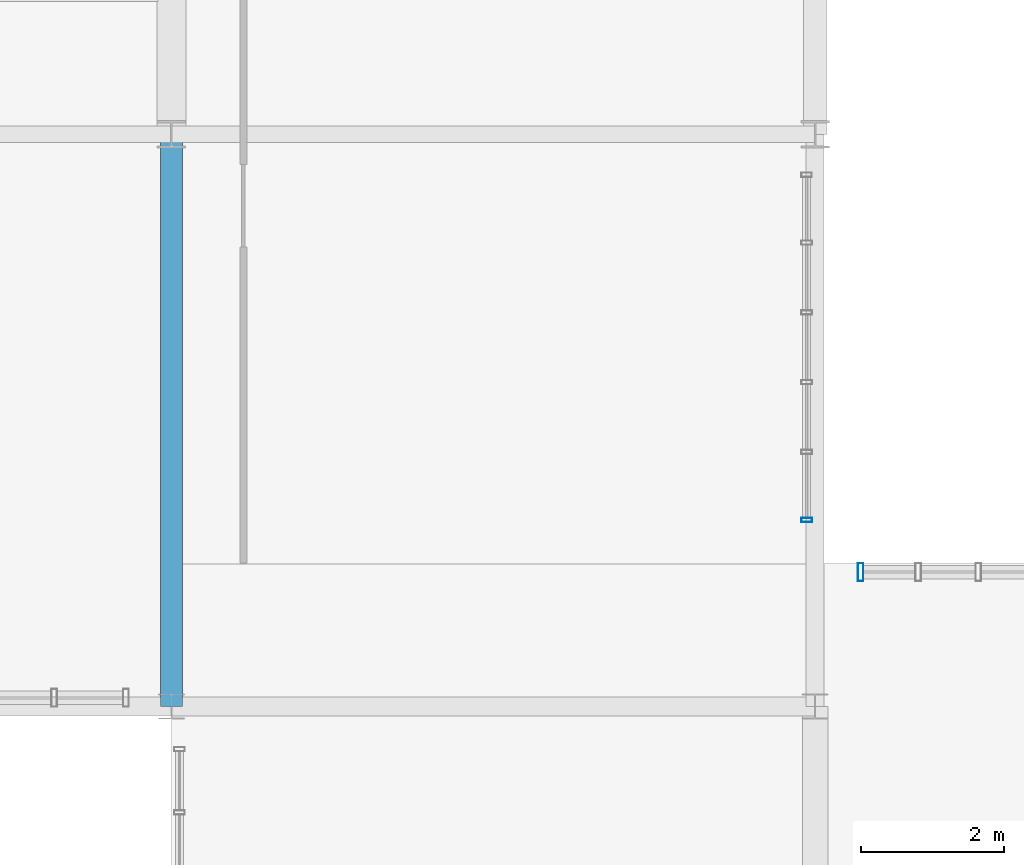
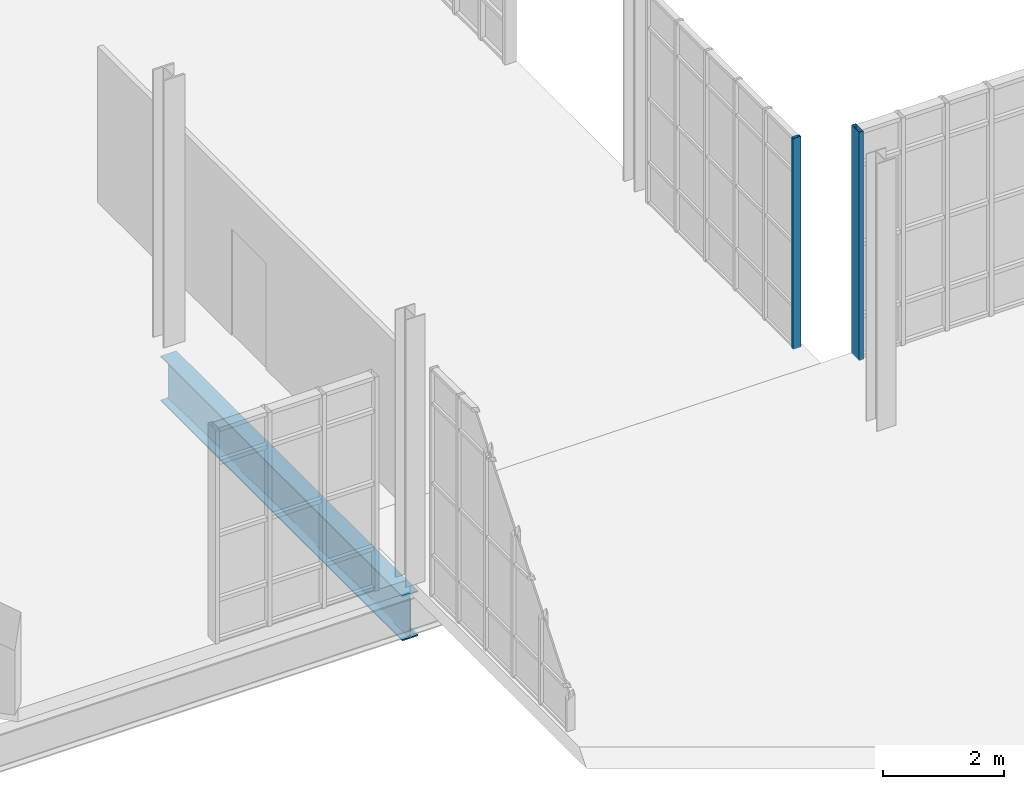
# One storey, part 76 of 189: 2 members, 1 beam, 2 elements without a shape of their own.
"""IFC4 building model written with IfcOpenShell, lengths in metres."""

from ifc_helpers import new_model, si_unit, direction, frame, origin, origin_2d, place, context, subcontext, project, spatial, hollow_rectangle, i_section, extrude, material, layer, layer_set, material_profile, profile_set, type_object, element, aggregate, save


model = new_model("IFC4")

# Units and contexts
model_context = context("Model", 3, precision=1e-05, world=origin(), true_north=direction((0.0, 1.0)))
body_context = subcontext(model_context, "Body", "Model", "MODEL_VIEW")
ifc_project = project(units=[si_unit("LENGTHUNIT", "METRE"), si_unit("AREAUNIT", "SQUARE_METRE"), si_unit("VOLUMEUNIT", "CUBIC_METRE"), si_unit("PLANEANGLEUNIT", "RADIAN"), si_unit("MASSUNIT", "GRAM", prefix="KILO"), si_unit("THERMODYNAMICTEMPERATUREUNIT", "KELVIN"), si_unit("POWERUNIT", "WATT")], contexts=[model_context])

# Site, building, storey
site_placement = place(None, origin())
site = spatial("IfcSite", under=ifc_project, at=site_placement, CompositionType="ELEMENT")
building_placement = place(site_placement, origin())
building = spatial("IfcBuilding", under=site, at=building_placement, Name="Zelmaris Science Centre", CompositionType="ELEMENT")
storey_placement = place(building_placement, origin())
storey = spatial("IfcBuildingStorey", under=building, at=storey_placement, Name="L00", CompositionType="ELEMENT", Elevation=0.0)

# Curtain wall, member
ifc_material_1 = material(Name="Anodised architectural aluminium 6063-T6", Category="aluminium")
ifc_layer_1 = layer(ifc_material_1, 0.219970703125, Name="Anodised architectural aluminium 6063-T6")
ifc_layer_set_1 = layer_set([ifc_layer_1], Name="Anodised architectural aluminium 6063-T6")
curtain_wall_type_1 = type_object("IfcCurtainWallType", Name="Curtain Wall CW-04", PredefinedType="USERDEFINED", material=ifc_layer_set_1)
curtain_wall_1_placement = place(storey_placement, origin())
curtain_wall_1 = element("IfcCurtainWall", 1, at=curtain_wall_1_placement, inside=storey, type_object=curtain_wall_type_1, Name="L00 Unitised curtain wall 88", ObjectType="GLAZED CURTAIN WALL", PredefinedType="USERDEFINED")
ifc_material_profile_1 = material_profile(ifc_material_1, hollow_rectangle(XDim=0.06005859375, YDim=0.14990234375, WallThickness=0.00341796875, at=origin_2d()), Name="ALU-MUL-60X150")
ifc_profile_set_1 = profile_set([ifc_material_profile_1], Name="Anodised architectural aluminium 6063-T6")
member_type_1 = type_object("IfcMemberType", Name="ALU-MUL-60X150", PredefinedType="MULLION", material=ifc_profile_set_1)
member_1_placement = place(storey_placement, frame((107.882568359375, 66.608642578125, -0.014892578125), z_axis=(0.0, 0.0, 1.0), x_axis=(0.000129154364, -0.99999999166, 0.0)))
member_1 = element("IfcMember", 2, at=member_1_placement, type_object=member_type_1, Name="CW-04 mullion 6", PredefinedType="MULLION", context=body_context, shape_type="SweptSolid", body=[
    extrude(hollow_rectangle(XDim=0.06005859375, YDim=0.14990234375, WallThickness=0.00341796875, at=origin_2d()), origin(), (0.0, 0.0, 1.0), 4.263916015625),
])
aggregate(curtain_wall_1, [member_1])

ifc_layer_2 = layer(ifc_material_1, 0.18994140625, Name="Anodised architectural aluminium 6063-T6")
ifc_layer_set_2 = layer_set([ifc_layer_2], Name="Anodised architectural aluminium 6063-T6")
curtain_wall_type_2 = type_object("IfcCurtainWallType", Name="Curtain Wall CW-01", PredefinedType="USERDEFINED", material=ifc_layer_set_2)
curtain_wall_2_placement = place(storey_placement, origin())
curtain_wall_2 = element("IfcCurtainWall", 3, at=curtain_wall_2_placement, inside=storey, type_object=curtain_wall_type_2, Name="L00 Unitised curtain wall 89", ObjectType="GLAZED CURTAIN WALL", PredefinedType="USERDEFINED")
ifc_material_profile_2 = material_profile(ifc_material_1, hollow_rectangle(XDim=0.080078125, YDim=0.25, WallThickness=0.0048828125, at=origin_2d()), Name="ALU-MUL-80X250")
ifc_profile_set_2 = profile_set([ifc_material_profile_2], Name="Anodised architectural aluminium 6063-T6")
member_type_2 = type_object("IfcMemberType", Name="ALU-MUL-80X250", PredefinedType="MULLION", material=ifc_profile_set_2)
member_2_placement = place(storey_placement, frame((108.635986328125, 65.8798828125, -0.014892578125), z_axis=(0.0, 0.0, 1.0), x_axis=(0.999999999962, -8.726646e-06, 0.0)))
member_2 = element("IfcMember", 4, at=member_2_placement, type_object=member_type_2, Name="CW-01 mullion 1", PredefinedType="MULLION", context=body_context, shape_type="SweptSolid", body=[
    extrude(hollow_rectangle(XDim=0.080078125, YDim=0.25, WallThickness=0.0048828125, at=origin_2d()), origin(), (0.0, 0.0, 1.0), 4.614990234375),
])
aggregate(curtain_wall_2, [member_2])

# Beam
ifc_material_2 = material(Name="Steel ASTM A992 Grade 50", Category="steel")
ifc_material_profile_3 = material_profile(ifc_material_2, i_section(OverallWidth=0.304931640625, OverallDepth=0.912109375, WebThickness=0.015869140625, FlangeThickness=0.02392578125, FilletRadius=0.02392578125, at=origin_2d()), Name="W36X150")
ifc_profile_set_3 = profile_set([ifc_material_profile_3], Name="Steel ASTM A992 Grade 50")
beam_type = type_object("IfcBeamType", Name="Beam G-27 W36X150", PredefinedType="BEAM", material=ifc_profile_set_3)
beam_placement = place(storey_placement, frame((99.0, 64.0, -0.74609375), z_axis=(0.0, 1.0, 0.0), x_axis=(-1.0, 0.0, 0.0)))
element("IfcBeam", 5, at=beam_placement, inside=storey, type_object=beam_type, Name="L00 North-south girder 47", PredefinedType="BEAM", context=body_context, shape_type="SweptSolid", body=[
    extrude(i_section(OverallWidth=0.304931640625, OverallDepth=0.912109375, WebThickness=0.015869140625, FlangeThickness=0.02392578125, FilletRadius=0.02392578125, at=origin_2d()), origin(), (0.0, 0.0, 1.0), 8.0),
])

save(model, "model.ifc")
